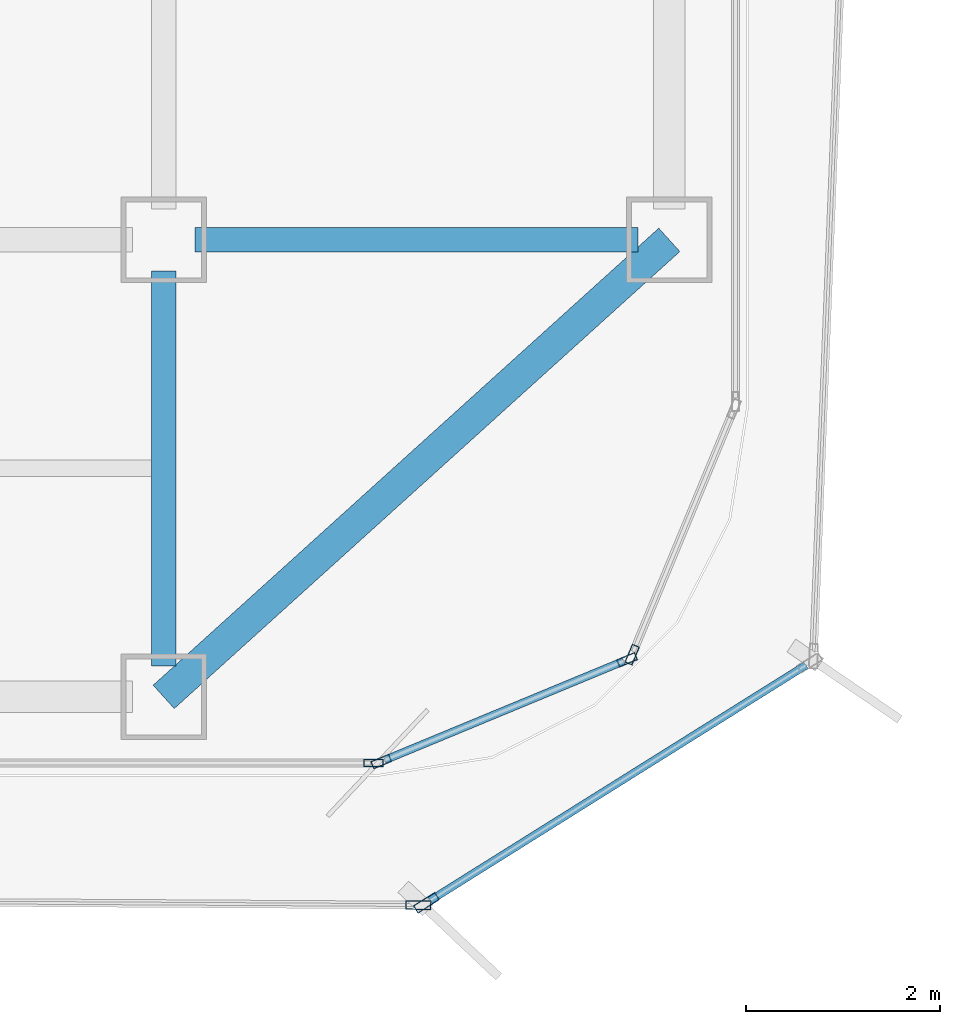
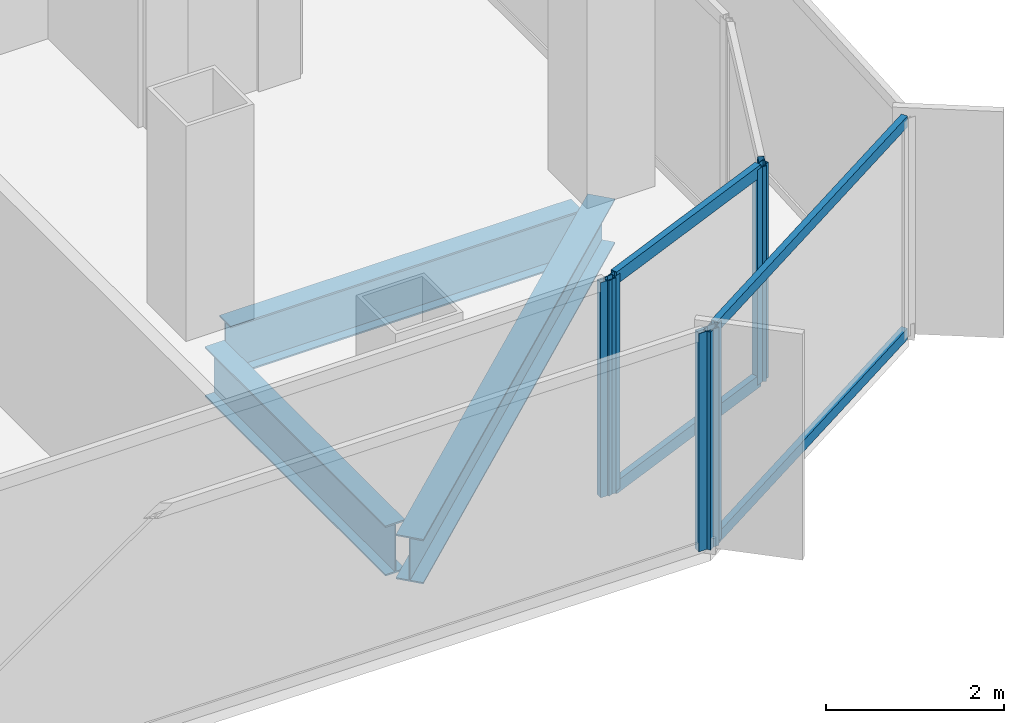
# One storey, part 6 of 21: 10 members, 3 beams, 5 elements without a shape of their own.
"""IFC4 building model written with IfcOpenShell, lengths in metres."""

from ifc_helpers import new_model, si_unit, direction, frame, origin, origin_2d, place, context, subcontext, project, spatial, hollow_rectangle, i_section, extrude, source, transform, mapped, material, layer, layer_set, material_profile, profile_set, type_object, element, aggregate, save


model = new_model("IFC4")

# Units and contexts
model_context = context("Model", 3, precision=1e-05, world=origin(), true_north=direction((0.0, 1.0)))
body_context = subcontext(model_context, "Body", "Model", "MODEL_VIEW")
ifc_project = project(units=[si_unit("LENGTHUNIT", "METRE"), si_unit("AREAUNIT", "SQUARE_METRE"), si_unit("VOLUMEUNIT", "CUBIC_METRE"), si_unit("PLANEANGLEUNIT", "RADIAN"), si_unit("MASSUNIT", "GRAM", prefix="KILO")], contexts=[model_context])

# Site, building, storey
site_placement = place(None, origin())
site = spatial("IfcSite", under=ifc_project, at=site_placement, CompositionType="ELEMENT")
building_placement = place(site_placement, origin())
building = spatial("IfcBuilding", under=site, at=building_placement, Name="Kolveth Station Tower", CompositionType="ELEMENT")
storey_placement = place(building_placement, frame((0.0, 0.0, 137.5)))
storey = spatial("IfcBuildingStorey", under=building, at=storey_placement, Name="L38", CompositionType="ELEMENT", Elevation=137.5)

# Beams
ifc_material_1 = material(Name="Steel S355", Category="steel")
ifc_material_profile_1 = material_profile(ifc_material_1, i_section(OverallWidth=0.323974609375, OverallDepth=0.611083984375, WebThickness=0.0126953125, FlangeThickness=0.01904296875, at=origin_2d()), Name="W610x155")
ifc_profile_set_1 = profile_set([ifc_material_profile_1], Name="Steel S355")
beam_type_1 = type_object("IfcBeamType", Name="Beam_SP2", PredefinedType="SPANDREL", material=ifc_profile_set_1)
shared_shape_1 = source(origin(), body_context, "Body", "SweptSolid", [
    extrude(i_section(OverallWidth=0.323974609375, OverallDepth=0.611083984375, WebThickness=0.0126953125, FlangeThickness=0.01904296875, at=origin_2d()), origin(), (0.0, 0.0, 1.0), 7.00927734375),
])
beam_1_placement = place(storey_placement, frame((41.0, 0.800048828125, -0.555419921875), z_axis=(0.741874009795, 0.670539300557, 0.0), x_axis=(-0.670539300557, 0.741874009795, 0.0)))
element("IfcBeam", 1, at=beam_1_placement, inside=storey, type_object=beam_type_1, Name="L38 Corner Edge Girder BM-L38-CNR-SE", PredefinedType="SPANDREL", context=body_context, shape_type="MappedRepresentation", body=[
    mapped(shared_shape_1, transform((0.0, 0.0, 0.0), x_axis=(1.0, 0.0, 0.0), y_axis=(0.0, 1.0, 0.0), z_axis=(0.0, 0.0, 1.0), scale=1.0)),
])
ifc_material_profile_2 = material_profile(ifc_material_1, i_section(OverallWidth=0.25390625, OverallDepth=0.68798828125, WebThickness=0.01318359375, FlangeThickness=0.02099609375, at=origin_2d()), Name="W690x152")
ifc_profile_set_2 = profile_set([ifc_material_profile_2], Name="Steel S355")
beam_type_2 = type_object("IfcBeamType", Name="Beam_B4", PredefinedType="BEAM", material=ifc_profile_set_2)
shared_shape_2 = source(origin(), body_context, "Body", "SweptSolid", [
    extrude(i_section(OverallWidth=0.25390625, OverallDepth=0.68798828125, WebThickness=0.01318359375, FlangeThickness=0.02099609375, at=origin_2d()), origin(), (0.0, 0.0, 1.0), 4.559814453125),
])
beam_2_placement = place(storey_placement, frame((41.320068359375, 5.5, -0.593994140625), z_axis=(1.0, 0.0, 0.0), x_axis=(0.0, 1.0, 0.0)))
element("IfcBeam", 2, at=beam_2_placement, inside=storey, type_object=beam_type_2, Name="L38 Primary Girder BM-L38-GY55-7", PredefinedType="BEAM", context=body_context, shape_type="MappedRepresentation", body=[
    mapped(shared_shape_2, transform((0.0, 0.0, 0.0), x_axis=(1.0, 0.0, 0.0), y_axis=(0.0, 1.0, 0.0), z_axis=(0.0, 0.0, 1.0), scale=1.0)),
])
shared_shape_3 = source(origin(), body_context, "Body", "SweptSolid", [
    extrude(i_section(OverallWidth=0.25390625, OverallDepth=0.68798828125, WebThickness=0.01318359375, FlangeThickness=0.02099609375, at=origin_2d()), origin(), (0.0, 0.0, 1.0), 4.059814453125),
])
beam_3_placement = place(storey_placement, frame((41.0, 1.1201171875, -0.593994140625), z_axis=(0.0, 1.0, 0.0), x_axis=(-1.0, 0.0, 0.0)))
element("IfcBeam", 3, at=beam_3_placement, inside=storey, type_object=beam_type_2, Name="L38 Primary Girder BM-L38-GX410-1", PredefinedType="BEAM", context=body_context, shape_type="MappedRepresentation", body=[
    mapped(shared_shape_3, transform((0.0, 0.0, 0.0), x_axis=(1.0, 0.0, 0.0), y_axis=(0.0, 1.0, 0.0), z_axis=(0.0, 0.0, 1.0), scale=1.0)),
])

# Curtain wall, members
ifc_material_2 = material(Name="Aluminium 6063-T6 and low-E dark glass", Category="aluminium")
ifc_layer_1 = layer(ifc_material_2, 0.18994140625)
ifc_layer_set_1 = layer_set([ifc_layer_1], Name="Aluminium 6063-T6 and low-E dark glass")
curtain_wall_type_1 = type_object("IfcCurtainWallType", Name="CurtainWall_CW-Z2", PredefinedType="NOTDEFINED", material=ifc_layer_set_1)
curtain_wall_1_placement = place(storey_placement, origin())
curtain_wall_1 = element("IfcCurtainWall", 4, at=curtain_wall_1_placement, inside=storey, type_object=curtain_wall_type_1, Name="L38 Inner Thermal Curtain Wall 1", PredefinedType="NOTDEFINED")
ifc_material_3 = material(Name="Black anodized aluminium 6063-T6", Category="aluminium")
ifc_material_profile_3 = material_profile(ifc_material_3, hollow_rectangle(XDim=0.080078125, YDim=0.199951171875, WallThickness=0.0048828125, at=origin_2d()), Name="ALU-80x200x5")
ifc_profile_set_3 = profile_set([ifc_material_profile_3], Name="Black anodized aluminium 6063-T6")
member_type_1 = type_object("IfcMemberType", Name="Mullion_ML2", PredefinedType="MULLION", material=ifc_profile_set_3)
shared_shape_4 = source(origin(), body_context, "Body", "SweptSolid", [
    extrude(hollow_rectangle(XDim=0.080078125, YDim=0.199951171875, WallThickness=0.0048828125, at=origin_2d()), origin(), (0.0, 0.0, 1.0), 2.949951171875),
])
member_1_placement = place(storey_placement, frame((43.237060546875, 0.13525390625, 0.0), z_axis=(0.0, 0.0, 1.0), x_axis=(-0.38266326998, 0.923887883787, 0.0)))
member_1 = element("IfcMember", 5, at=member_1_placement, type_object=member_type_1, Name="CW-Z2 mullion 1", PredefinedType="MULLION", context=body_context, shape_type="MappedRepresentation", body=[
    mapped(shared_shape_4, transform((0.0, 0.0, 0.0), x_axis=(1.0, 0.0, 0.0), y_axis=(0.0, 1.0, 0.0), z_axis=(0.0, 0.0, 1.0), scale=1.0)),
])
member_2_placement = place(storey_placement, frame((45.76513671875, 1.182373046875, 0.0), z_axis=(0.0, 0.0, 1.0), x_axis=(-0.38266326998, 0.923887883787, 0.0)))
member_2 = element("IfcMember", 6, at=member_2_placement, type_object=member_type_1, Name="CW-Z2 mullion 2", PredefinedType="MULLION", context=body_context, shape_type="MappedRepresentation", body=[
    mapped(shared_shape_4, transform((0.0, 0.0, 0.0), x_axis=(1.0, 0.0, 0.0), y_axis=(0.0, 1.0, 0.0), z_axis=(0.0, 0.0, 1.0), scale=1.0)),
])

# Curtain wall, member
curtain_wall_2_placement = place(storey_placement, origin())
curtain_wall_2 = element("IfcCurtainWall", 7, at=curtain_wall_2_placement, inside=storey, type_object=curtain_wall_type_1, Name="L38 Inner Thermal Curtain Wall 2", PredefinedType="NOTDEFINED")
member_3_placement = place(storey_placement, frame((45.817626953125, 1.23486328125, 0.0), z_axis=(0.0, 0.0, 1.0), x_axis=(-0.923887883787, 0.38266326998, 0.0)))
member_3 = element("IfcMember", 8, at=member_3_placement, type_object=member_type_1, Name="CW-Z2 mullion 1", PredefinedType="MULLION", context=body_context, shape_type="MappedRepresentation", body=[
    mapped(shared_shape_4, transform((0.0, 0.0, 0.0), x_axis=(1.0, 0.0, 0.0), y_axis=(0.0, 1.0, 0.0), z_axis=(0.0, 0.0, 1.0), scale=1.0)),
])
aggregate(curtain_wall_2, [member_3])

curtain_wall_3_placement = place(storey_placement, origin())
curtain_wall_3 = element("IfcCurtainWall", 9, at=curtain_wall_3_placement, inside=storey, type_object=curtain_wall_type_1, Name="L38 Inner Thermal Curtain Wall 12", PredefinedType="NOTDEFINED")
member_4_placement = place(storey_placement, frame((43.159912109375, 0.1201171875, 0.0), z_axis=(0.0, 0.0, 1.0), x_axis=(0.0, 1.0, 0.0)))
member_4 = element("IfcMember", 10, at=member_4_placement, type_object=member_type_1, Name="CW-Z2 mullion 3", PredefinedType="MULLION", context=body_context, shape_type="MappedRepresentation", body=[
    mapped(shared_shape_4, transform((0.0, 0.0, 0.0), x_axis=(1.0, 0.0, 0.0), y_axis=(0.0, 1.0, 0.0), z_axis=(0.0, 0.0, 1.0), scale=1.0)),
])
aggregate(curtain_wall_3, [member_4])

# Member
ifc_material_profile_4 = material_profile(ifc_material_3, hollow_rectangle(XDim=0.080078125, YDim=0.169921875, WallThickness=0.0048828125, at=origin_2d()), Name="ALU-80x170x5")
ifc_profile_set_4 = profile_set([ifc_material_profile_4], Name="Black anodized aluminium 6063-T6")
member_type_2 = type_object("IfcMemberType", Name="Transom_TR2", PredefinedType="USERDEFINED", material=ifc_profile_set_4)
shared_shape_5 = source(origin(), body_context, "Body", "SweptSolid", [
    extrude(hollow_rectangle(XDim=0.080078125, YDim=0.169921875, WallThickness=0.0048828125, at=origin_2d()), origin(), (0.0, 0.0, 1.0), 2.656494140625),
])
member_5_placement = place(storey_placement, frame((43.27392578125, 0.150634765625, 0.0400390625), z_axis=(0.923882422403, 0.382676455475, 0.0), x_axis=(-0.382676455475, 0.923882422403, 0.0)))
member_5 = element("IfcMember", 11, at=member_5_placement, type_object=member_type_2, Name="CW-Z2 transom 1.1", ObjectType="TRANSOM", PredefinedType="USERDEFINED", context=body_context, shape_type="MappedRepresentation", body=[
    mapped(shared_shape_5, transform((0.0, 0.0, 0.0), x_axis=(1.0, 0.0, 0.0), y_axis=(0.0, 1.0, 0.0), z_axis=(0.0, 0.0, 1.0), scale=1.0)),
])

member_6_placement = place(storey_placement, frame((43.27392578125, 0.150634765625, 2.909912109375), z_axis=(0.923882422403, 0.382676455475, 0.0), x_axis=(-0.382676455475, 0.923882422403, 0.0)))
member_6 = element("IfcMember", 12, at=member_6_placement, type_object=member_type_2, Name="CW-Z2 transom 1.2", ObjectType="TRANSOM", PredefinedType="USERDEFINED", context=body_context, shape_type="MappedRepresentation", body=[
    mapped(shared_shape_5, transform((0.0, 0.0, 0.0), x_axis=(1.0, 0.0, 0.0), y_axis=(0.0, 1.0, 0.0), z_axis=(0.0, 0.0, 1.0), scale=1.0)),
])

aggregate(curtain_wall_1, [member_1, member_2, member_5, member_6])

# Curtain wall, member
ifc_material_4 = material(Name="Black anodized aluminium 6063-T6 and dark solar glass", Category="aluminium")
ifc_layer_2 = layer(ifc_material_4, 0.159912109375)
ifc_layer_set_2 = layer_set([ifc_layer_2], Name="Black anodized aluminium 6063-T6 and dark solar glass")
curtain_wall_type_2 = type_object("IfcCurtainWallType", Name="OUTER SKIN CW-OS", PredefinedType="NOTDEFINED", material=ifc_layer_set_2)
curtain_wall_4_placement = place(storey_placement, origin())
curtain_wall_4 = element("IfcCurtainWall", 13, at=curtain_wall_4_placement, inside=storey, type_object=curtain_wall_type_2, Name="L38 Outer Ventilated Skin Curtain Wall 1", PredefinedType="NOTDEFINED")
ifc_material_profile_5 = material_profile(ifc_material_3, hollow_rectangle(XDim=0.090087890625, YDim=0.260009765625, WallThickness=0.0048828125, at=origin_2d()), Name="ALU-90x260x5")
ifc_profile_set_5 = profile_set([ifc_material_profile_5], Name="Black anodized aluminium 6063-T6")
member_type_3 = type_object("IfcMemberType", Name="FIN MULLION ML-OS", PredefinedType="MULLION", material=ifc_profile_set_5)
shared_shape_6 = source(origin(), body_context, "Body", "SweptSolid", [
    extrude(hollow_rectangle(XDim=0.090087890625, YDim=0.260009765625, WallThickness=0.0048828125, at=origin_2d()), origin(), (0.0, 0.0, 1.0), 2.989990234375),
])
member_7_placement = place(storey_placement, frame((43.70166015625, -1.317626953125, 0.0), z_axis=(0.0, 0.0, 1.0), x_axis=(-0.530677617634, 0.847573752627, 0.0)))
member_7 = element("IfcMember", 14, at=member_7_placement, type_object=member_type_3, Name="CW-OS mullion 1", PredefinedType="MULLION", context=body_context, shape_type="MappedRepresentation", body=[
    mapped(shared_shape_6, transform((0.0, 0.0, 0.0), x_axis=(1.0, 0.0, 0.0), y_axis=(0.0, 1.0, 0.0), z_axis=(0.0, 0.0, 1.0), scale=1.0)),
])

curtain_wall_5_placement = place(storey_placement, origin())
curtain_wall_5 = element("IfcCurtainWall", 15, at=curtain_wall_5_placement, inside=storey, type_object=curtain_wall_type_2, Name="L38 Outer Ventilated Skin Curtain Wall 8", PredefinedType="NOTDEFINED")
member_8_placement = place(storey_placement, frame((43.61865234375, -1.34130859375, 0.0), z_axis=(0.0, 0.0, 1.0), x_axis=(0.005901762955, 0.999982584445, 0.0)))
member_8 = element("IfcMember", 16, at=member_8_placement, type_object=member_type_3, Name="CW-OS mullion 2", PredefinedType="MULLION", context=body_context, shape_type="MappedRepresentation", body=[
    mapped(shared_shape_6, transform((0.0, 0.0, 0.0), x_axis=(1.0, 0.0, 0.0), y_axis=(0.0, 1.0, 0.0), z_axis=(0.0, 0.0, 1.0), scale=1.0)),
])
aggregate(curtain_wall_5, [member_8])

# Member
ifc_material_profile_6 = material_profile(ifc_material_3, hollow_rectangle(XDim=0.080078125, YDim=0.14990234375, WallThickness=0.0048828125, at=origin_2d()), Name="ALU-80x150x5")
ifc_profile_set_6 = profile_set([ifc_material_profile_6], Name="Black anodized aluminium 6063-T6")
member_type_4 = type_object("IfcMemberType", Name="Transom_TR-OS", PredefinedType="USERDEFINED", material=ifc_profile_set_6)
shared_shape_7 = source(origin(), body_context, "Body", "SweptSolid", [
    extrude(hollow_rectangle(XDim=0.080078125, YDim=0.14990234375, WallThickness=0.0048828125, at=origin_2d()), origin(), (0.0, 0.0, 1.0), 4.560302734375),
])
member_9_placement = place(storey_placement, frame((43.739990234375, -1.2939453125, 0.0400390625), z_axis=(0.847564929356, 0.530691709494, 0.0), x_axis=(-0.530691709494, 0.847564929356, 0.0)))
member_9 = element("IfcMember", 17, at=member_9_placement, type_object=member_type_4, Name="CW-OS transom 1.1", ObjectType="TRANSOM", PredefinedType="USERDEFINED", context=body_context, shape_type="MappedRepresentation", body=[
    mapped(shared_shape_7, transform((0.0, 0.0, 0.0), x_axis=(1.0, 0.0, 0.0), y_axis=(0.0, 1.0, 0.0), z_axis=(0.0, 0.0, 1.0), scale=1.0)),
])

member_10_placement = place(storey_placement, frame((43.739990234375, -1.2939453125, 2.949951171875), z_axis=(0.847564929356, 0.530691709494, 0.0), x_axis=(-0.530691709494, 0.847564929356, 0.0)))
member_10 = element("IfcMember", 18, at=member_10_placement, type_object=member_type_4, Name="CW-OS transom 1.2", ObjectType="TRANSOM", PredefinedType="USERDEFINED", context=body_context, shape_type="MappedRepresentation", body=[
    mapped(shared_shape_7, transform((0.0, 0.0, 0.0), x_axis=(1.0, 0.0, 0.0), y_axis=(0.0, 1.0, 0.0), z_axis=(0.0, 0.0, 1.0), scale=1.0)),
])

aggregate(curtain_wall_4, [member_7, member_9, member_10])

save(model, "model.ifc")
